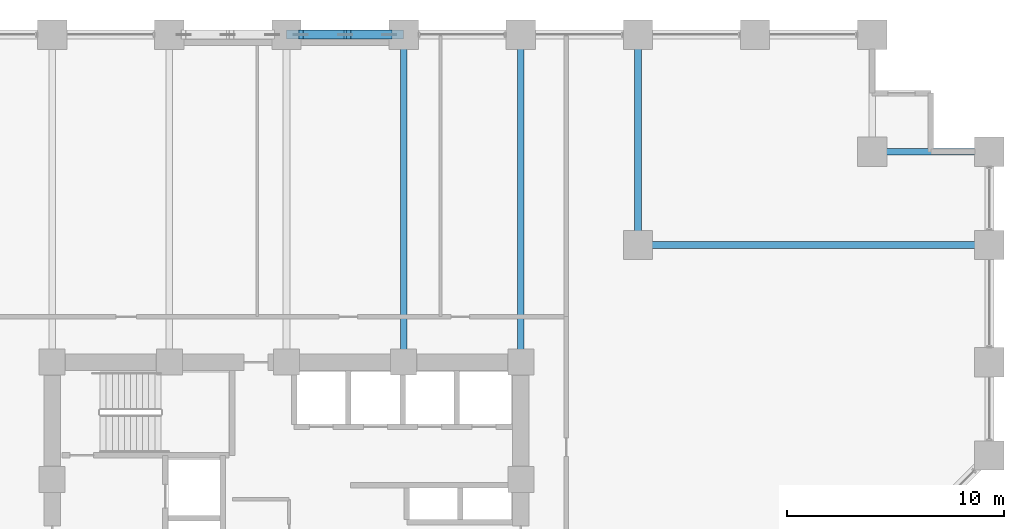
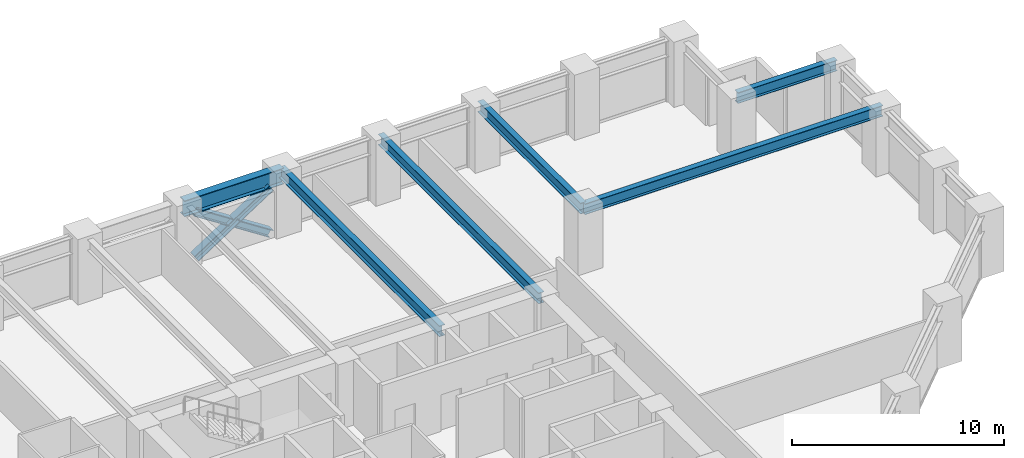
# One storey, part 14 of 25: 6 beams, 3 members.
"""IFC4 building model written with IfcOpenShell, lengths in metres."""

from ifc_helpers import new_model, si_unit, direction, frame, origin, origin_2d, place, context, subcontext, project, spatial, i_section, extrude, material, material_profile, profile_set, type_object, element, save


model = new_model("IFC4")

# Units and contexts
model_context = context("Model", 3, precision=1e-05, world=origin(), true_north=direction((0.0, 1.0)))
body_context = subcontext(model_context, "Body", "Model", "MODEL_VIEW")
ifc_project = project(units=[si_unit("LENGTHUNIT", "METRE"), si_unit("AREAUNIT", "SQUARE_METRE"), si_unit("VOLUMEUNIT", "CUBIC_METRE"), si_unit("PLANEANGLEUNIT", "RADIAN"), si_unit("MASSUNIT", "GRAM", prefix="KILO")], contexts=[model_context])

# Site, building, storey
site_placement = place(None, origin())
site = spatial("IfcSite", under=ifc_project, at=site_placement, CompositionType="ELEMENT")
building_placement = place(site_placement, origin())
building = spatial("IfcBuilding", under=site, at=building_placement, Name="Surkhivell Harbour Commons", CompositionType="ELEMENT")
storey_placement = place(building_placement, frame((0.0, 0.0, 37.5)))
storey = spatial("IfcBuildingStorey", under=building, at=storey_placement, Name="L09", CompositionType="ELEMENT", Elevation=37.5)

# Beams
ifc_material_1 = material(Name="Steel S355", Category="steel")
ifc_material_profile_1 = material_profile(ifc_material_1, i_section(OverallWidth=0.306884765625, OverallDepth=0.6201171875, WebThickness=0.01416015625, FlangeThickness=0.023681640625, at=origin_2d()), Name="UB610x305x179")
ifc_profile_set_1 = profile_set([ifc_material_profile_1], Name="Steel S355")
beam_type_1 = type_object("IfcBeamType", Name="BM-GRD-610A", PredefinedType="BEAM", material=ifc_profile_set_1)
for number, where, z_axis, x_axis, name in (
    (1, (5.39990234375, 10.800048828125, 3.260009765625), (0.0, 1.0, 0.0), (-1.0, 0.0, 0.0), "L09 Floor Girder (5.4,10.8)"),
    (2, (10.800048828125, 10.800048828125, 3.260009765625), (0.0, 1.0, 0.0), (-1.0, 0.0, 0.0), "L09 Floor Girder (10.8,10.8)"),
):
    element("IfcBeam", number, at=place(storey_placement, frame(where, z_axis=z_axis, x_axis=x_axis)), inside=storey, type_object=beam_type_1, Name=name, PredefinedType="BEAM", context=body_context, shape_type="SweptSolid", body=[
        extrude(i_section(OverallWidth=0.306884765625, OverallDepth=0.6201171875, WebThickness=0.01416015625, FlangeThickness=0.023681640625, at=origin_2d()), origin(), (0.0, 0.0, 1.0), 15.099853515625),
    ])
beam_1_placement = place(storey_placement, frame((16.199951171875, 16.199951171875, 3.260009765625), z_axis=(0.0, 1.0, 0.0), x_axis=(-1.0, 0.0, 0.0)))
element("IfcBeam", 3, at=beam_1_placement, inside=storey, type_object=beam_type_1, Name="L09 Floor Girder (16.2,16.2)", PredefinedType="BEAM", context=body_context, shape_type="SweptSolid", body=[
    extrude(i_section(OverallWidth=0.306884765625, OverallDepth=0.6201171875, WebThickness=0.01416015625, FlangeThickness=0.023681640625, at=origin_2d()), origin(), (0.0, 0.0, 1.0), 9.699951171875),
])
beam_2_placement = place(storey_placement, frame((16.199951171875, 16.199951171875, 3.260009765625), z_axis=(1.0, 0.0, 0.0), x_axis=(0.0, 1.0, 0.0)))
element("IfcBeam", 4, at=beam_2_placement, inside=storey, type_object=beam_type_1, Name="L09 Floor Girder (16.2,16.2)", PredefinedType="BEAM", context=body_context, shape_type="SweptSolid", body=[
    extrude(i_section(OverallWidth=0.306884765625, OverallDepth=0.6201171875, WebThickness=0.01416015625, FlangeThickness=0.023681640625, at=origin_2d()), origin(), (0.0, 0.0, 1.0), 16.199951171875),
])
beam_3_placement = place(storey_placement, frame((27.0, 20.5, 3.260009765625), z_axis=(1.0, 0.0, 0.0), x_axis=(0.0, 1.0, 0.0)))
element("IfcBeam", 5, at=beam_3_placement, inside=storey, type_object=beam_type_1, Name="L09 Floor Girder (27.0,20.5)", PredefinedType="BEAM", context=body_context, shape_type="SweptSolid", body=[
    extrude(i_section(OverallWidth=0.306884765625, OverallDepth=0.6201171875, WebThickness=0.01416015625, FlangeThickness=0.023681640625, at=origin_2d()), origin(), (0.0, 0.0, 1.0), 5.39990234375),
])
ifc_material_2 = material(Name="Steel S460", Category="steel")
ifc_material_profile_2 = material_profile(ifc_material_2, i_section(OverallWidth=0.419921875, OverallDepth=0.9208984375, WebThickness=0.021484375, FlangeThickness=0.03662109375, at=origin_2d()), Name="UB914x419x388")
ifc_profile_set_2 = profile_set([ifc_material_profile_2], Name="Steel S460")
beam_type_2 = type_object("IfcBeamType", Name="BM-SPN-914A", PredefinedType="SPANDREL", material=ifc_profile_set_2)
beam_4_placement = place(storey_placement, frame((0.0, 25.89990234375, 3.109619140625), z_axis=(1.0, 0.0, 0.0), x_axis=(0.0, 1.0, 0.0)))
element("IfcBeam", 6, at=beam_4_placement, inside=storey, type_object=beam_type_2, Name="L09 Tube Spandrel (-0.0,25.9)", PredefinedType="SPANDREL", context=body_context, shape_type="SweptSolid", body=[
    extrude(i_section(OverallWidth=0.419921875, OverallDepth=0.9208984375, WebThickness=0.021484375, FlangeThickness=0.03662109375, at=origin_2d()), origin(), (0.0, 0.0, 1.0), 5.39990234375),
])

# Members
ifc_material_profile_3 = material_profile(ifc_material_2, i_section(OverallWidth=0.406005859375, OverallDepth=0.416015625, WebThickness=0.026611328125, FlangeThickness=0.0390625, at=origin_2d()), Name="HD400x382")
ifc_profile_set_3 = profile_set([ifc_material_profile_3], Name="Steel S460")
member_type = type_object("IfcMemberType", Name="MEM-BRC-HD382", PredefinedType="BRACE", material=ifc_profile_set_3)
member_1_placement = place(storey_placement, frame((0.659912109375, 25.89990234375, 0.008056640625), z_axis=(0.83910375559, 0.0, 0.543971403067), x_axis=(0.0, 1.0, 0.0)))
element("IfcMember", 7, at=member_1_placement, inside=storey, type_object=member_type, Name="L09 Perimeter Mega-Brace MB- 04", PredefinedType="BRACE", context=body_context, shape_type="SweptSolid", body=[
    extrude(i_section(OverallWidth=0.406005859375, OverallDepth=0.416015625, WebThickness=0.026611328125, FlangeThickness=0.0390625, at=origin_2d()), origin(), (0.0, 0.0, 1.0), 4.8623046875),
])
member_2_placement = place(storey_placement, frame((4.739990234375, 25.89990234375, 0.008056640625), z_axis=(-0.83908547242, 0.0, 0.543999604756), x_axis=(0.0, -1.0, 0.0)))
element("IfcMember", 8, at=member_2_placement, inside=storey, type_object=member_type, Name="L09 Perimeter Mega-Brace MB- 05", PredefinedType="BRACE", context=body_context, shape_type="SweptSolid", body=[
    extrude(i_section(OverallWidth=0.406005859375, OverallDepth=0.416015625, WebThickness=0.026611328125, FlangeThickness=0.0390625, at=origin_2d()), origin(), (0.0, 0.0, 1.0), 2.2314453125),
])
member_3_placement = place(storey_placement, frame((2.532470703125, 25.89990234375, 1.439208984375), z_axis=(-0.839117847051, 0.0, 0.54394966565), x_axis=(0.0, -1.0, 0.0)))
element("IfcMember", 9, at=member_3_placement, inside=storey, type_object=member_type, Name="L09 Perimeter Mega-Brace MB- 06", PredefinedType="BRACE", context=body_context, shape_type="SweptSolid", body=[
    extrude(i_section(OverallWidth=0.406005859375, OverallDepth=0.416015625, WebThickness=0.026611328125, FlangeThickness=0.0390625, at=origin_2d()), origin(), (0.0, 0.0, 1.0), 2.231689453125),
])

save(model, "model.ifc")
